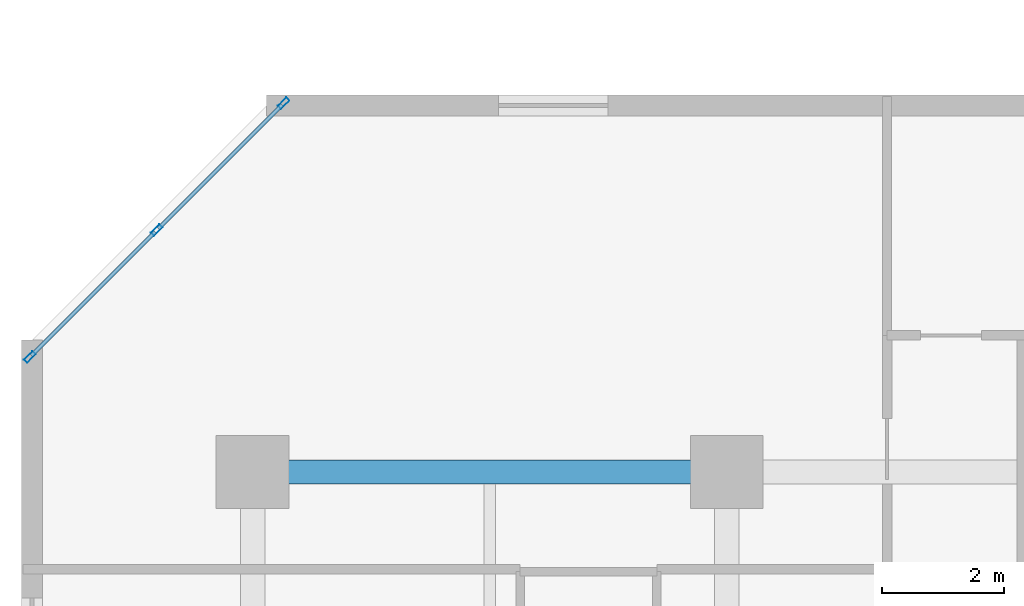
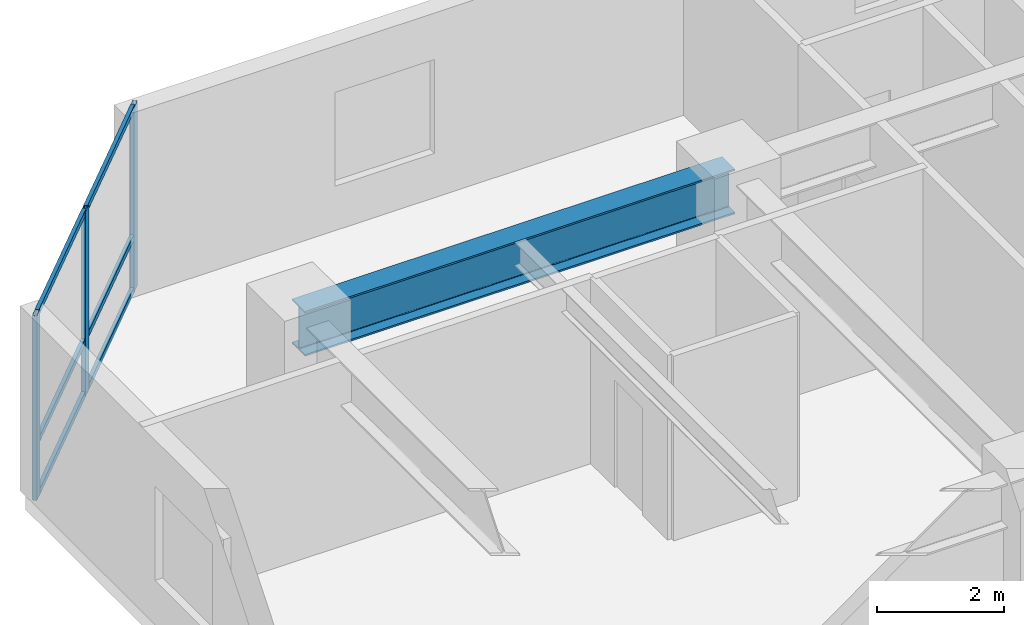
# One storey, part 3 of 12: 9 members, 1 beam, 1 element without a shape of its own.
"""IFC4 building model written with IfcOpenShell, lengths in metres."""

from ifc_helpers import new_model, si_unit, direction, frame, origin, origin_2d, place, context, subcontext, project, spatial, hollow_rectangle, i_section, extrude, material, layer, layer_set, material_profile, profile_set, type_object, element, aggregate, save


model = new_model("IFC4")

# Units and contexts
model_context = context("Model", 3, precision=1e-05, world=origin(), true_north=direction((0.0, 1.0)))
body_context = subcontext(model_context, "Body", "Model", "MODEL_VIEW")
ifc_project = project(units=[si_unit("LENGTHUNIT", "METRE"), si_unit("AREAUNIT", "SQUARE_METRE"), si_unit("VOLUMEUNIT", "CUBIC_METRE"), si_unit("PLANEANGLEUNIT", "RADIAN"), si_unit("MASSUNIT", "GRAM", prefix="KILO")], contexts=[model_context])

# Site, building, storey
site_placement = place(None, origin())
site = spatial("IfcSite", under=ifc_project, at=site_placement, CompositionType="ELEMENT")
building_placement = place(site_placement, origin())
building = spatial("IfcBuilding", under=site, at=building_placement, Name="Kestravale Grand Hotel", CompositionType="ELEMENT")
storey_placement = place(building_placement, frame((0.0, 0.0, 122.199951171875)))
storey = spatial("IfcBuildingStorey", under=building, at=storey_placement, Name="L30", CompositionType="ELEMENT", Elevation=122.199951171875)

# Beam
ifc_material_1 = material(Name="Steel ASTM A992 Grade 50", Category="steel")
ifc_material_profile_1 = material_profile(ifc_material_1, i_section(OverallWidth=0.40087890625, OverallDepth=0.861083984375, WebThickness=0.019775390625, FlangeThickness=0.032470703125, FilletRadius=0.0234375, at=origin_2d()))
ifc_profile_set_1 = profile_set([ifc_material_profile_1], Name="Steel ASTM A992 Grade 50")
beam_type = type_object("IfcBeamType", Name="B-GRD-W33", PredefinedType="BEAM", material=ifc_profile_set_1)
beam_placement = place(storey_placement, frame((7.800048828125, 38.39990234375, 3.109619140625), z_axis=(1.0, 0.0, 0.0), x_axis=(0.0, 1.0, 0.0)))
element("IfcBeam", 1, at=beam_placement, inside=storey, type_object=beam_type, Name="L30 girder F:2-3", PredefinedType="BEAM", context=body_context, shape_type="SweptSolid", body=[
    extrude(i_section(OverallWidth=0.40087890625, OverallDepth=0.861083984375, WebThickness=0.019775390625, FlangeThickness=0.032470703125, FilletRadius=0.0234375, at=origin_2d()), origin(), (0.0, 0.0, 1.0), 7.800048828125),
])

# Curtain wall, members
ifc_material_2 = material(Name="Thermally broken champagne-bronze aluminium and low-E glazing", Category="aluminium")
ifc_layer = layer(ifc_material_2, 0.199951171875)
ifc_layer_set = layer_set([ifc_layer], Name="CW-Z2")
curtain_wall_type = type_object("IfcCurtainWallType", Name="CW-Z2", PredefinedType="NOTDEFINED", material=ifc_layer_set)
curtain_wall_placement = place(storey_placement, origin())
curtain_wall = element("IfcCurtainWall", 2, at=curtain_wall_placement, inside=storey, type_object=curtain_wall_type, Name="L30 unitised curtain wall 18", PredefinedType="NOTDEFINED")
ifc_material_3 = material(Name="Aluminium 6063-T6 anodised", Category="aluminium")
ifc_material_profile_2 = material_profile(ifc_material_3, hollow_rectangle(XDim=0.074951171875, YDim=0.199951171875, WallThickness=0.00390625, at=origin_2d()))
ifc_profile_set_2 = profile_set([ifc_material_profile_2], Name="Aluminium 6063-T6 anodised")
member_type_1 = type_object("IfcMemberType", Name="CW-MUL-200", PredefinedType="MULLION", material=ifc_profile_set_2)
member_1_placement = place(storey_placement, frame((8.307861328125, 44.467529296875, 0.0), z_axis=(0.0, 0.0, 1.0), x_axis=(0.707106781187, -0.707106781187, 0.0)))
member_1 = element("IfcMember", 3, at=member_1_placement, type_object=member_type_1, Name="CW-Z2 mullion 1", PredefinedType="MULLION", context=body_context, shape_type="SweptSolid", body=[
    extrude(hollow_rectangle(XDim=0.074951171875, YDim=0.199951171875, WallThickness=0.00390625, at=origin_2d()), origin(), (0.0, 0.0, 1.0), 3.5400390625),
])
member_2_placement = place(storey_placement, frame((6.22021484375, 42.3798828125, 0.0), z_axis=(0.0, 0.0, 1.0), x_axis=(0.707106781187, -0.707106781187, 0.0)))
member_2 = element("IfcMember", 4, at=member_2_placement, type_object=member_type_1, Name="CW-Z2 mullion 2", PredefinedType="MULLION", context=body_context, shape_type="SweptSolid", body=[
    extrude(hollow_rectangle(XDim=0.074951171875, YDim=0.199951171875, WallThickness=0.00390625, at=origin_2d()), origin(), (0.0, 0.0, 1.0), 3.5400390625),
])
member_3_placement = place(storey_placement, frame((4.132568359375, 40.292236328125, 0.0), z_axis=(0.0, 0.0, 1.0), x_axis=(0.707106781187, -0.707106781187, 0.0)))
member_3 = element("IfcMember", 5, at=member_3_placement, type_object=member_type_1, Name="CW-Z2 mullion 3", PredefinedType="MULLION", context=body_context, shape_type="SweptSolid", body=[
    extrude(hollow_rectangle(XDim=0.074951171875, YDim=0.199951171875, WallThickness=0.00390625, at=origin_2d()), origin(), (0.0, 0.0, 1.0), 3.5400390625),
])
ifc_material_4 = material(Name="Aluminium 6063-T6 anodised", Category="aluminium")
ifc_material_profile_3 = material_profile(ifc_material_4, hollow_rectangle(XDim=0.06494140625, YDim=0.114990234375, WallThickness=0.003173828125, at=origin_2d()))
ifc_profile_set_3 = profile_set([ifc_material_profile_3], Name="Aluminium 6063-T6 anodised")
member_type_2 = type_object("IfcMemberType", Name="CW-TRN-115", PredefinedType="USERDEFINED", material=ifc_profile_set_3)
member_4_placement = place(storey_placement, frame((8.28125, 44.44091796875, 0.032470703125), z_axis=(-0.707064354356, -0.707149205472, 0.0), x_axis=(0.707149205472, -0.707064354356, 0.0)))
member_4 = element("IfcMember", 6, at=member_4_placement, type_object=member_type_2, Name="CW-Z2 transom 1.1", ObjectType="TRANSOM", PredefinedType="USERDEFINED", context=body_context, shape_type="SweptSolid", body=[
    extrude(hollow_rectangle(XDim=0.06494140625, YDim=0.114990234375, WallThickness=0.003173828125, at=origin_2d()), origin(), (0.0, 0.0, 1.0), 2.877197265625),
])
member_5_placement = place(storey_placement, frame((8.28125, 44.44091796875, 1.050048828125), z_axis=(-0.707064354356, -0.707149205472, 0.0), x_axis=(0.707149205472, -0.707064354356, 0.0)))
member_5 = element("IfcMember", 7, at=member_5_placement, type_object=member_type_2, Name="CW-Z2 transom 1.2", ObjectType="TRANSOM", PredefinedType="USERDEFINED", context=body_context, shape_type="SweptSolid", body=[
    extrude(hollow_rectangle(XDim=0.06494140625, YDim=0.114990234375, WallThickness=0.003173828125, at=origin_2d()), origin(), (0.0, 0.0, 1.0), 2.877197265625),
])
member_6_placement = place(storey_placement, frame((8.28125, 44.44091796875, 3.507568359375), z_axis=(-0.707064354356, -0.707149205472, 0.0), x_axis=(0.707149205472, -0.707064354356, 0.0)))
member_6 = element("IfcMember", 8, at=member_6_placement, type_object=member_type_2, Name="CW-Z2 transom 1.3", ObjectType="TRANSOM", PredefinedType="USERDEFINED", context=body_context, shape_type="SweptSolid", body=[
    extrude(hollow_rectangle(XDim=0.06494140625, YDim=0.114990234375, WallThickness=0.003173828125, at=origin_2d()), origin(), (0.0, 0.0, 1.0), 2.877197265625),
])
member_7_placement = place(storey_placement, frame((6.193603515625, 42.353271484375, 0.032470703125), z_axis=(-0.707106781187, -0.707106781187, 0.0), x_axis=(0.707106781187, -0.707106781187, 0.0)))
member_7 = element("IfcMember", 9, at=member_7_placement, type_object=member_type_2, Name="CW-Z2 transom 2.1", ObjectType="TRANSOM", PredefinedType="USERDEFINED", context=body_context, shape_type="SweptSolid", body=[
    extrude(hollow_rectangle(XDim=0.06494140625, YDim=0.114990234375, WallThickness=0.003173828125, at=origin_2d()), origin(), (0.0, 0.0, 1.0), 2.87744140625),
])
member_8_placement = place(storey_placement, frame((6.193603515625, 42.353271484375, 1.050048828125), z_axis=(-0.707106781187, -0.707106781187, 0.0), x_axis=(0.707106781187, -0.707106781187, 0.0)))
member_8 = element("IfcMember", 10, at=member_8_placement, type_object=member_type_2, Name="CW-Z2 transom 2.2", ObjectType="TRANSOM", PredefinedType="USERDEFINED", context=body_context, shape_type="SweptSolid", body=[
    extrude(hollow_rectangle(XDim=0.06494140625, YDim=0.114990234375, WallThickness=0.003173828125, at=origin_2d()), origin(), (0.0, 0.0, 1.0), 2.87744140625),
])
member_9_placement = place(storey_placement, frame((6.193603515625, 42.353271484375, 3.507568359375), z_axis=(-0.707106781187, -0.707106781187, 0.0), x_axis=(0.707106781187, -0.707106781187, 0.0)))
member_9 = element("IfcMember", 11, at=member_9_placement, type_object=member_type_2, Name="CW-Z2 transom 2.3", ObjectType="TRANSOM", PredefinedType="USERDEFINED", context=body_context, shape_type="SweptSolid", body=[
    extrude(hollow_rectangle(XDim=0.06494140625, YDim=0.114990234375, WallThickness=0.003173828125, at=origin_2d()), origin(), (0.0, 0.0, 1.0), 2.87744140625),
])
aggregate(curtain_wall, [member_1, member_2, member_3, member_4, member_5, member_6, member_7, member_8, member_9])

save(model, "model.ifc")
